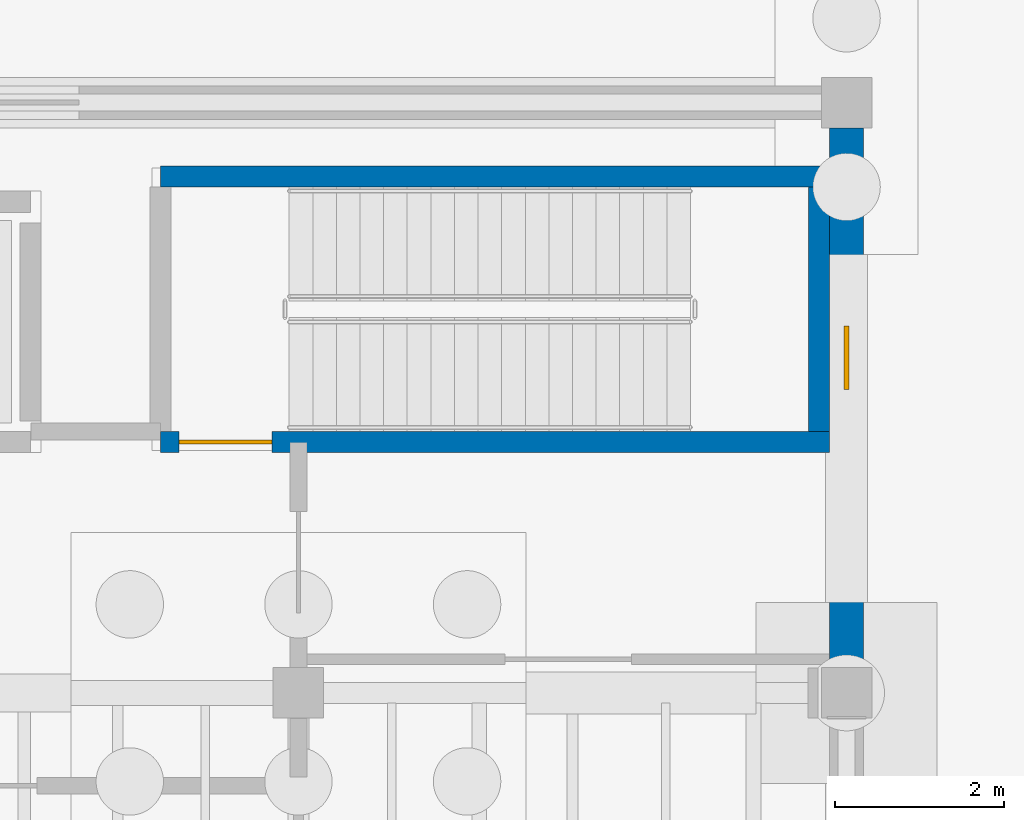
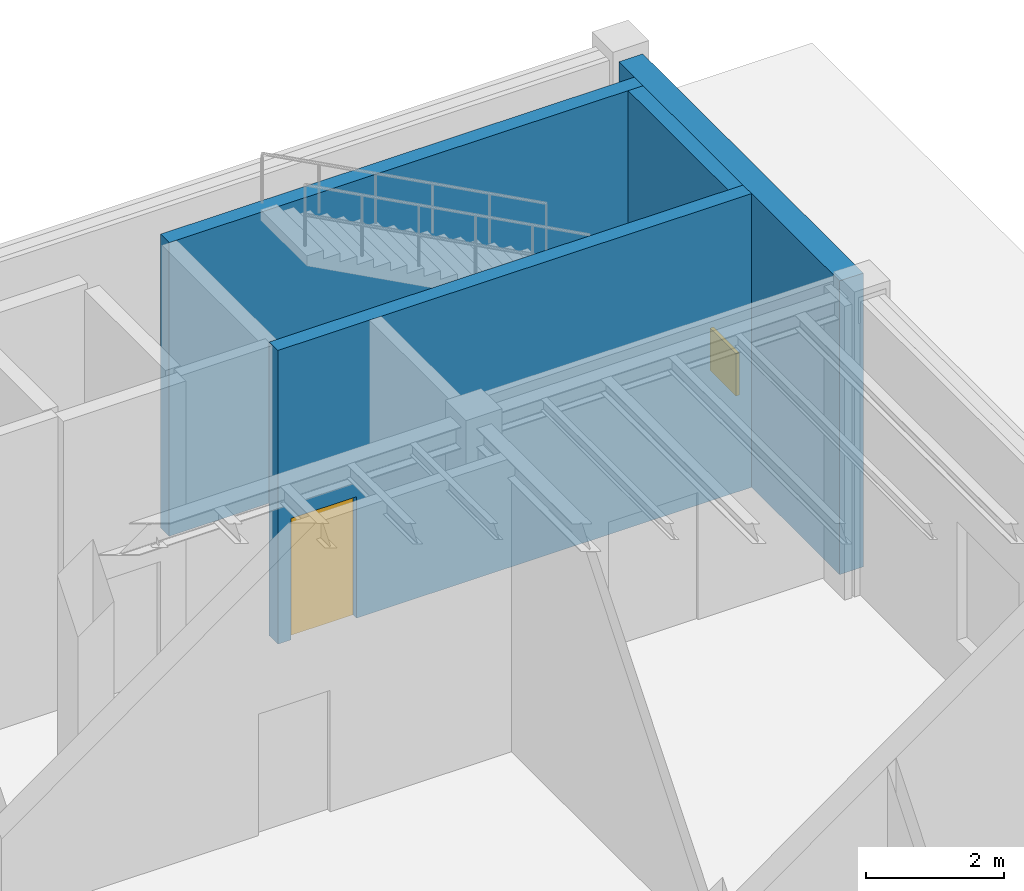
# One storey, part 71 of 86: 4 walls, 1 door, 1 window, 2 openings.
"""IFC4 building model written with IfcOpenShell, lengths in metres."""

import ifcopenshell
import ifcopenshell.guid

model = None  # the IFC model being written
_history = None  # IfcOwnerHistory: only IFC2X3 demands one
_inside = {}  # id of a spatial element -> (the spatial element, [elements in it])
_under = {}  # id of a project, library or spatial element -> (it, [spatial elements below it])
_declared = {}  # id of a project -> (the project, [libraries it declares])
_typed = {}  # id of a type object -> (the type object, [elements of that type])
_made_of = {}  # id of a material, layer set ... -> (it, [elements and type objects made of it])


def new_model(schema):
    """Start an empty IFC model of exactly this schema.

    Asked for "IFC4X3", IfcOpenShell would pick the latest addendum, in which some entities
    have other attributes; the version numbers below select the first issue.
    IFC2X3 requires an IfcOwnerHistory on every rooted entity: one is made here for all.
    """
    global model, _history
    if schema == "IFC4X3":
        model = ifcopenshell.file(schema_version=(4, 3, 0, 0))
    else:
        model = ifcopenshell.file(schema=schema)
    _inside.clear()
    _under.clear()
    _declared.clear()
    _typed.clear()
    _made_of.clear()
    _history = None
    if model.schema == "IFC2X3":
        org = make("IfcOrganization", Name="unknown")
        user = make(
            "IfcPersonAndOrganization",
            ThePerson=make("IfcPerson", FamilyName="unknown"),
            TheOrganization=org,
        )
        app = make(
            "IfcApplication",
            ApplicationDeveloper=org,
            Version="unknown",
            ApplicationFullName="unknown",
            ApplicationIdentifier="unknown",
        )
        _history = make(
            "IfcOwnerHistory",
            OwningUser=user,
            OwningApplication=app,
            ChangeAction="ADDED",
            CreationDate=0,
        )
    return model


def make(cls, **values):
    """One entity of the class cls with the attributes given. An attribute that is None is left unset."""
    return model.create_entity(
        cls, **{name: value for name, value in values.items() if value is not None}
    )


def rooted(cls, **values):
    """An entity with a GlobalId (a new one), such as an element, a storey or a relation."""
    return make(cls, GlobalId=ifcopenshell.guid.new(), OwnerHistory=_history, **values)


def si_unit(unit_type, name, prefix=None):
    """IfcSIUnit, for example si_unit("LENGTHUNIT", "METRE", prefix="MILLI")."""
    return make("IfcSIUnit", UnitType=unit_type, Prefix=prefix, Name=name)


def assignment(units):
    """IfcUnitAssignment: the units of a project."""
    return None if units is None else make("IfcUnitAssignment", Units=units)


def point(xyz):
    """IfcCartesianPoint."""
    return None if xyz is None else make("IfcCartesianPoint", Coordinates=xyz)


def direction(xyz):
    """IfcDirection."""
    return None if xyz is None else make("IfcDirection", DirectionRatios=xyz)


def frame(location, z_axis=None, x_axis=None):
    """IfcAxis2Placement3D, a coordinate frame: its origin and axes. An axis left out is left unset."""
    return make(
        "IfcAxis2Placement3D",
        Location=point(location),
        Axis=direction(z_axis),
        RefDirection=direction(x_axis),
    )


def frame_2d(location, x_axis=None):
    """IfcAxis2Placement2D, a coordinate frame in the plane: its origin and x axis."""
    return make(
        "IfcAxis2Placement2D", Location=point(location), RefDirection=direction(x_axis)
    )


def origin():
    """The frame at (0, 0, 0) with its axes left unset."""
    return frame((0.0, 0.0, 0.0))


def place(relative_to, where):
    """IfcLocalPlacement: puts the frame where relative to a parent placement (None: the world)."""
    return make(
        "IfcLocalPlacement", PlacementRelTo=relative_to, RelativePlacement=where
    )


def context(
    kind, dimensions, precision=None, world=None, true_north=None, identifier=None
):
    """IfcGeometricRepresentationContext, for example the 3D "Model" context."""
    return make(
        "IfcGeometricRepresentationContext",
        ContextIdentifier=identifier,
        ContextType=kind,
        CoordinateSpaceDimension=dimensions,
        Precision=precision,
        WorldCoordinateSystem=world,
        TrueNorth=true_north,
    )


def subcontext(parent, identifier, kind, view, scale=None):
    """IfcGeometricRepresentationSubContext, for example "Body" below "Model"."""
    return make(
        "IfcGeometricRepresentationSubContext",
        ContextIdentifier=identifier,
        ContextType=kind,
        ParentContext=parent,
        TargetScale=scale,
        TargetView=view,
    )


def project(units=None, contexts=None):
    """IfcProject with its units and contexts."""
    return rooted(
        "IfcProject",
        Name="project",
        RepresentationContexts=contexts,
        UnitsInContext=assignment(units),
    )


def spatial(cls, under=None, at=None, **own):
    """A site, building, storey or space (cls), placed at a placement, below another one or the project."""
    s = rooted(cls, ObjectPlacement=at, **own)
    if under is not None:
        _under.setdefault(under.id(), (under, []))[1].append(s)
    return s


def profile(cls, at=None, kind="AREA", **sizes):
    """A parametric profile (cls). Its sizes go by their IFC names, for example OverallWidth=200.0."""
    return make(cls, ProfileType=kind, Position=at, **sizes)


def rectangle(**sizes):
    """IfcRectangleProfileDef."""
    return profile("IfcRectangleProfileDef", **sizes)


def extrude(swept, where, along, depth):
    """IfcExtrudedAreaSolid: the profile swept, set in the frame where, extruded along a direction by depth."""
    return make(
        "IfcExtrudedAreaSolid",
        SweptArea=swept,
        Position=where,
        ExtrudedDirection=direction(along),
        Depth=depth,
    )


def shape(context_of_items, identifier, shape_type, items):
    """IfcShapeRepresentation: the items that make up one representation, for example the "Body"."""
    return make(
        "IfcShapeRepresentation",
        ContextOfItems=context_of_items,
        RepresentationIdentifier=identifier,
        RepresentationType=shape_type,
        Items=items,
    )


def material(Name=None, Category=None):
    """IfcMaterial."""
    return make("IfcMaterial", Name=Name, Category=Category)


def layer(
    of_material, thickness, ventilated=None, Name=None, Category=None, Priority=None
):
    """IfcMaterialLayer: one layer of a wall or slab, of a material (None: an air gap)."""
    return make(
        "IfcMaterialLayer",
        Material=of_material,
        LayerThickness=thickness,
        IsVentilated=ventilated,
        Name=Name,
        Category=Category,
        Priority=Priority,
    )


def layer_set(layers, Name=None):
    """IfcMaterialLayerSet."""
    return make("IfcMaterialLayerSet", MaterialLayers=layers, LayerSetName=Name)


def made_of(thing, what):
    """Note that an element or type object is made of a material, layer set ...; save() writes the relation."""
    if what is not None:
        _made_of.setdefault(what.id(), (what, []))[1].append(thing)
    return thing


def type_object(cls, material=None, **own):
    """A type object (cls), such as IfcWallType, which elements share."""
    return made_of(rooted(cls, **own), material)


def element(
    cls,
    number,
    at=None,
    inside=None,
    cuts=None,
    type_object=None,
    material=None,
    context=None,
    identifier="Body",
    shape_type=None,
    held_by="IfcProductDefinitionShape",
    body=None,
    shapes=None,
    **own,
):
    """One element of the class cls, such as IfcWall. Its Tag is "e" and its number.

    at: its placement. inside: the storey or other place that contains it. cuts: it is an
    opening in that element (IfcRelVoidsElement). A single representation is given by context,
    identifier, shape_type and body (its items); several are given by shapes. held_by: the class
    of the entity that holds the representations. save() writes the other relations.
    """
    e = rooted(cls, Tag="e%d" % number, ObjectPlacement=at, **own)
    if body is not None:
        shapes = [shape(context, identifier, shape_type, body)]
    if shapes is not None:
        e.Representation = make(held_by, Representations=shapes)
    if inside is not None:
        _inside.setdefault(inside.id(), (inside, []))[1].append(e)
    if cuts is not None:
        rooted(
            "IfcRelVoidsElement", RelatingBuildingElement=cuts, RelatedOpeningElement=e
        )
    if type_object is not None:
        _typed.setdefault(type_object.id(), (type_object, []))[1].append(e)
    return made_of(e, material)


def fill(opening, filler):
    """IfcRelFillsElement: the door or window that sits in an opening."""
    return rooted(
        "IfcRelFillsElement",
        RelatingOpeningElement=opening,
        RelatedBuildingElement=filler,
    )


def aggregate(whole, parts):
    """IfcRelAggregates: a whole, such as a stair, and the parts it consists of."""
    return rooted("IfcRelAggregates", RelatingObject=whole, RelatedObjects=parts)


def save(model, path):
    """Write the relations noted so far, then the file.

    IfcRelAggregates (storeys below a building ...), IfcRelContainedInSpatialStructure (elements
    in a storey), IfcRelDefinesByType, IfcRelAssociatesMaterial and IfcRelDeclares: one each for
    every whole, place, type object, material and project.
    """
    for whole, parts in _under.values():
        aggregate(whole, parts)
    for where, things in _inside.values():
        rooted(
            "IfcRelContainedInSpatialStructure",
            RelatedElements=things,
            RelatingStructure=where,
        )
    for kind, things in _typed.values():
        rooted("IfcRelDefinesByType", RelatedObjects=things, RelatingType=kind)
    for what, things in _made_of.values():
        rooted("IfcRelAssociatesMaterial", RelatedObjects=things, RelatingMaterial=what)
    for by, libraries in _declared.values():
        rooted("IfcRelDeclares", RelatingContext=by, RelatedDefinitions=libraries)
    model.write(path)


model = new_model("IFC4")

# Units and contexts
model_context = context("Model", 3, precision=1e-05, world=origin(), true_north=direction((0.0, 1.0)))
body_context = subcontext(model_context, "Body", "Model", "MODEL_VIEW")
ifc_project = project(units=[si_unit("LENGTHUNIT", "METRE"), si_unit("AREAUNIT", "SQUARE_METRE"), si_unit("VOLUMEUNIT", "CUBIC_METRE"), si_unit("PLANEANGLEUNIT", "RADIAN"), si_unit("MASSUNIT", "GRAM", prefix="KILO"), si_unit("THERMODYNAMICTEMPERATUREUNIT", "KELVIN"), si_unit("POWERUNIT", "WATT")], contexts=[model_context])

# Site, building, storey
site_placement = place(None, origin())
site = spatial("IfcSite", under=ifc_project, at=site_placement, CompositionType="ELEMENT")
building_placement = place(site_placement, origin())
building = spatial("IfcBuilding", under=site, at=building_placement, Name="Zhenchuan Central Fire Station", CompositionType="ELEMENT")
storey_placement = place(building_placement, frame((0.0, 0.0, 0.449951171875)))
storey = spatial("IfcBuildingStorey", under=building, at=storey_placement, Name="L01", CompositionType="ELEMENT", Elevation=0.449951171875)

# Wall, opening, window
ifc_material_1 = material(Name="Concrete C40/50", Category="concrete")
ifc_layer_1 = layer(ifc_material_1, 0.39990234375, Name="Concrete C40/50", Category="concrete")
ifc_layer_set_1 = layer_set([ifc_layer_1], Name="Concrete C40/50")
wall_type_1 = type_object("IfcWallType", Name="EW-RC400", PredefinedType="SHEAR", material=ifc_layer_set_1)
wall_1_placement = place(storey_placement, frame((161.0, 49.800048828125, 0.0), z_axis=(0.0, 0.0, 1.0), x_axis=(0.0, 1.0, 0.0)))
wall_1 = element("IfcWall", 1, at=wall_1_placement, inside=storey, type_object=wall_type_1, Name="EW-L01-V6E-1", PredefinedType="SHEAR", context=body_context, shape_type="SweptSolid", body=[
    extrude(rectangle(XDim=6.39990234375, YDim=0.39990234375, at=frame_2d((3.199951171875, 0.0))), origin(), (0.0, 0.0, 1.0), 5.199951171875),
])
opening_1_placement = place(wall_1_placement, frame((3.300048828125, 0.0, 1.10009765625)))
opening_1 = element("IfcOpeningElement", 2, at=opening_1_placement, cuts=wall_1, Name="Opening W-02", PredefinedType="OPENING", context=body_context, shape_type="SweptSolid", body=[
    extrude(rectangle(XDim=0.75, YDim=0.75, at=frame_2d((0.375, 0.375))), frame((0.0, 0.2099609375, 0.0), z_axis=(0.0, -1.0, 0.0), x_axis=(1.0, 0.0, 0.0)), (0.0, 0.0, 1.0), 0.419921875),
])
ifc_material_2 = material(Name="Laminated low-E double glazing in aluminium frame", Category="aluminium")
window_type = type_object("IfcWindowType", Name="WN-02", PartitioningType="SINGLE_PANEL", PredefinedType="WINDOW", material=ifc_material_2)
window_placement = place(opening_1_placement, origin())
window = element("IfcWindow", 3, at=window_placement, inside=storey, type_object=window_type, Name="Exterior Window 0103", OverallHeight=0.75, OverallWidth=0.75, PartitioningType="SINGLE_PANEL", PredefinedType="WINDOW", context=body_context, shape_type="SweptSolid", body=[
    extrude(rectangle(XDim=0.75, YDim=0.75, at=frame_2d((0.375, 0.375))), frame((0.0, 0.030029296875, 0.0), z_axis=(0.0, -1.0, 0.0), x_axis=(1.0, 0.0, 0.0)), (0.0, 0.0, 1.0), 0.06005859375),
])
fill(opening_1, window)

# Wall, opening, door
ifc_layer_2 = layer(ifc_material_1, 0.25, Name="Concrete C40/50", Category="concrete")
ifc_layer_set_2 = layer_set([ifc_layer_2], Name="Concrete C40/50")
wall_type_2 = type_object("IfcWallType", Name="IW-SHR250", PredefinedType="SHEAR", material=ifc_layer_set_2)
wall_2_placement = place(storey_placement, frame((152.864990234375, 52.47509765625, 0.0), z_axis=(0.0, 0.0, 1.0), x_axis=(1.0, 0.0, 0.0)))
wall_2 = element("IfcWall", 4, at=wall_2_placement, inside=storey, type_object=wall_type_2, Name="ST-13 L01 South Core Wall", PredefinedType="SHEAR", context=body_context, shape_type="SweptSolid", body=[
    extrude(rectangle(XDim=7.93505859375, YDim=0.25, at=frame_2d((3.967529296875, 0.0))), origin(), (0.0, 0.0, 1.0), 5.199951171875),
])
opening_2_placement = place(wall_2_placement, frame((0.219970703125, 0.0, 0.0)))
opening_2 = element("IfcOpeningElement", 5, at=opening_2_placement, cuts=wall_2, Name="Opening D-036", PredefinedType="OPENING", context=body_context, shape_type="SweptSolid", body=[
    extrude(rectangle(XDim=1.10009765625, YDim=2.14990234375, at=frame_2d((0.550048828125, 1.074951171875))), frame((0.0, 0.135009765625, 0.0), z_axis=(0.0, -1.0, 0.0), x_axis=(1.0, 0.0, 0.0)), (0.0, 0.0, 1.0), 0.27001953125),
])
ifc_material_3 = material(Name="Painted steel acoustic fire door", Category="steel")
door_type = type_object("IfcDoorType", Name="ID-ST-110x215", OperationType="NOTDEFINED", PredefinedType="DOOR", material=ifc_material_3)
door_placement = place(opening_2_placement, frame((1.10009765625, 0.0, 0.0), z_axis=(0.0, 0.0, 1.0), x_axis=(-1.0, 0.0, 0.0)))
door = element("IfcDoor", 6, at=door_placement, inside=storey, type_object=door_type, Name="ST-13 L01 Fire Door", OperationType="SINGLE_SWING_RIGHT", OverallHeight=2.14990234375, OverallWidth=1.10009765625, PredefinedType="DOOR", context=body_context, shape_type="SweptSolid", body=[
    extrude(rectangle(XDim=1.10009765625, YDim=2.14990234375, at=frame_2d((0.550048828125, 1.074951171875))), frame((0.0, 0.02490234375, 0.0), z_axis=(0.0, -1.0, 0.0), x_axis=(1.0, 0.0, 0.0)), (0.0, 0.0, 1.0), 0.050048828125),
])
fill(opening_2, door)

# Walls
wall_3_placement = place(storey_placement, frame((152.864990234375, 55.625, 0.0), z_axis=(0.0, 0.0, 1.0), x_axis=(1.0, 0.0, 0.0)))
element("IfcWall", 7, at=wall_3_placement, inside=storey, type_object=wall_type_2, Name="ST-13 L01 North Core Wall", PredefinedType="SHEAR", context=body_context, shape_type="SweptSolid", body=[
    extrude(rectangle(XDim=7.93505859375, YDim=0.25, at=frame_2d((3.967529296875, 0.0))), origin(), (0.0, 0.0, 1.0), 5.199951171875),
])
wall_4_placement = place(storey_placement, frame((160.675048828125, 52.60009765625, 0.0), z_axis=(0.0, 0.0, 1.0), x_axis=(0.0, 1.0, 0.0)))
element("IfcWall", 8, at=wall_4_placement, inside=storey, type_object=wall_type_2, Name="ST-13 L01 East Core Wall", PredefinedType="SHEAR", context=body_context, shape_type="SweptSolid", body=[
    extrude(rectangle(XDim=2.89990234375, YDim=0.25, at=frame_2d((1.449951171875, 0.0))), origin(), (0.0, 0.0, 1.0), 5.199951171875),
])

save(model, "model.ifc")
